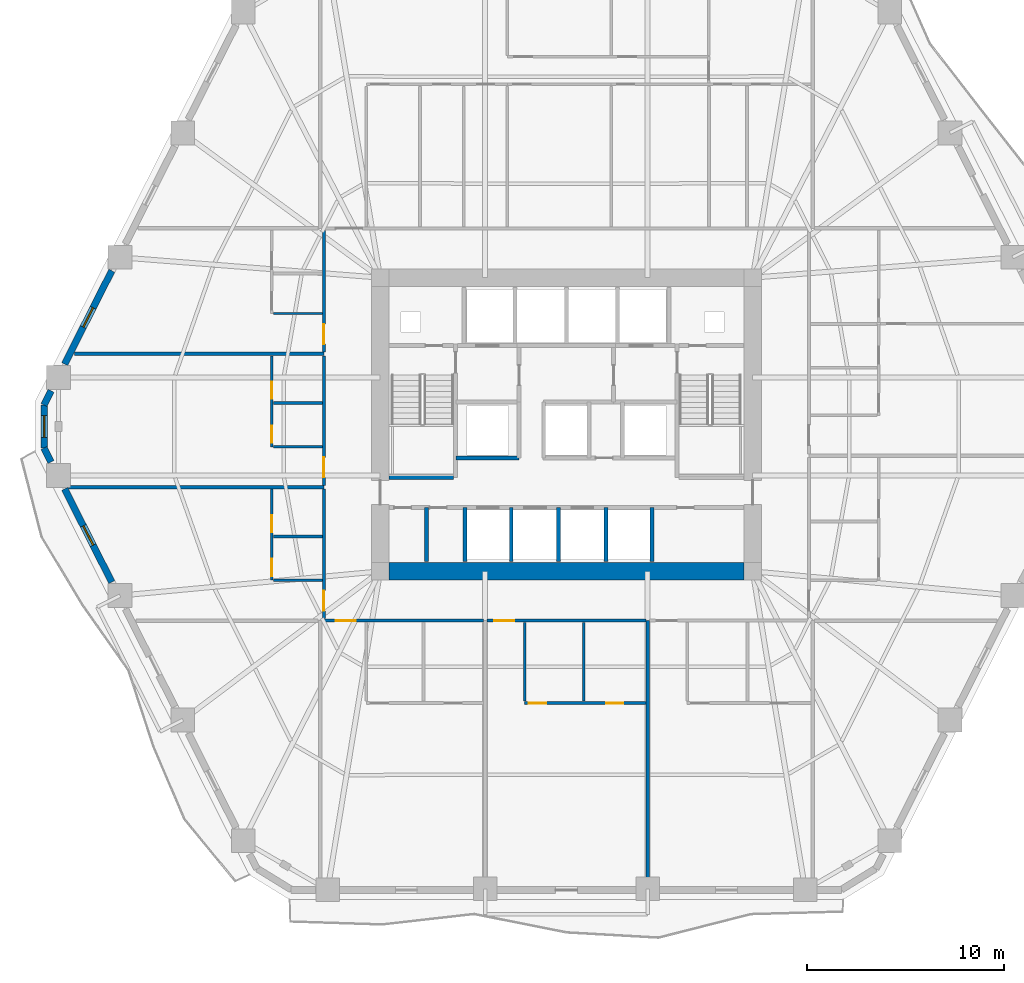
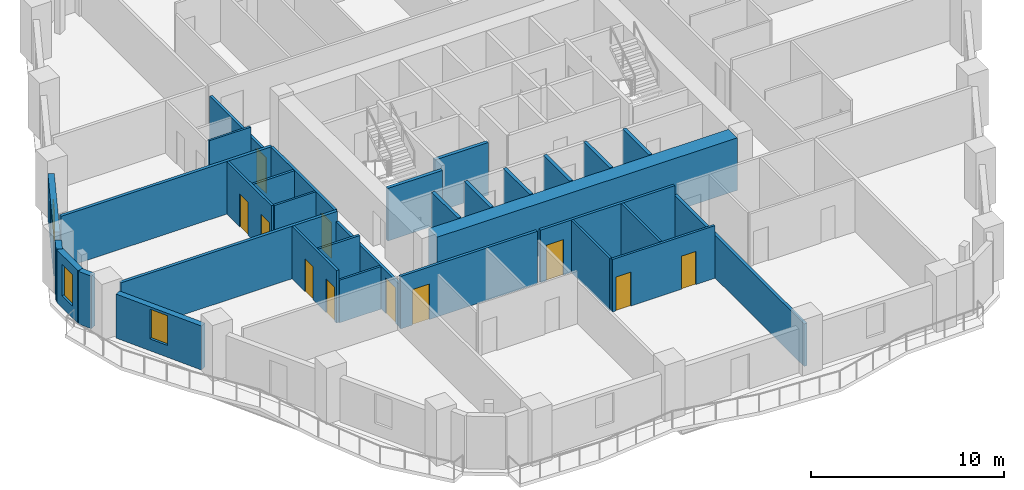
# One storey, part 4 of 11: 32 walls, 11 doors, 3 windows, 14 openings.
"""IFC4 building model written with IfcOpenShell, lengths in metres."""

from ifc_helpers import new_model, si_unit, direction, frame, frame_2d, origin, place, context, subcontext, project, spatial, rectangle, extrude, material, layer, layer_set, type_object, element, fill, save


model = new_model("IFC4")

# Units and contexts
model_context = context("Model", 3, precision=1e-05, world=origin(), true_north=direction((0.0, 1.0)))
body_context = subcontext(model_context, "Body", "Model", "MODEL_VIEW")
ifc_project = project(units=[si_unit("LENGTHUNIT", "METRE"), si_unit("AREAUNIT", "SQUARE_METRE"), si_unit("VOLUMEUNIT", "CUBIC_METRE"), si_unit("PLANEANGLEUNIT", "RADIAN"), si_unit("MASSUNIT", "GRAM", prefix="KILO")], contexts=[model_context])

# Site, building, storey
site_placement = place(None, origin())
site = spatial("IfcSite", under=ifc_project, at=site_placement, CompositionType="ELEMENT")
building_placement = place(site_placement, origin())
building = spatial("IfcBuilding", under=site, at=building_placement, Name="Cinnabar Lancet Tower", CompositionType="ELEMENT")
storey_placement = place(building_placement, frame((0.0, 0.0, 42.64990234375)))
storey = spatial("IfcBuildingStorey", under=building, at=storey_placement, Name="L10", CompositionType="ELEMENT", Elevation=42.64990234375)

# Wall, opening, door
ifc_material_1 = material(Name="Acoustic twin-stud gypsum partition", Category="gypsum")
ifc_layer_1 = layer(ifc_material_1, 0.159912109375)
ifc_layer_set_1 = layer_set([ifc_layer_1], Name="Acoustic twin-stud gypsum partition")
wall_type_1 = type_object("IfcWallType", Name="ARC-WL-CORR-160", PredefinedType="PARTITIONING", material=ifc_layer_set_1)
wall_1_placement = place(storey_placement, frame((19.9951171875, 15.949951171875, 0.0), z_axis=(0.0, 0.0, 1.0), x_axis=(1.0, 0.0, 0.0)))
wall_1 = element("IfcWall", 1, at=wall_1_placement, inside=storey, type_object=wall_type_1, Name="L10 Unit S01 Corridor Wall", PredefinedType="PARTITIONING", context=body_context, shape_type="SweptSolid", body=[
    extrude(rectangle(XDim=8.18798828125, YDim=0.159912109375, at=frame_2d((4.093994140625, 0.0))), origin(), (0.0, 0.0, 1.0), 3.330078125),
])
opening_1_placement = place(wall_1_placement, frame((0.705078125, 0.0, 0.0)))
opening_1 = element("IfcOpeningElement", 2, at=opening_1_placement, cuts=wall_1, Name="Opening UD-01", PredefinedType="OPENING", context=body_context, shape_type="SweptSolid", body=[
    extrude(rectangle(XDim=1.02001953125, YDim=2.25, at=frame_2d((0.510009765625, 1.125))), frame((0.0, 0.08984375, 0.0), z_axis=(0.0, -1.0, 0.0), x_axis=(1.0, 0.0, 0.0)), (0.0, 0.0, 1.0), 0.179931640625),
])
ifc_material_2 = material(Name="Solid timber fire-rated apartment entrance door", Category="wood")
door_type_1 = type_object("IfcDoorType", Name="ARC-DR-UNIT", OperationType="NOTDEFINED", PredefinedType="DOOR", material=ifc_material_2)
door_1_placement = place(opening_1_placement, origin())
door_1 = element("IfcDoor", 3, at=door_1_placement, inside=storey, type_object=door_type_1, Name="DR-L10-S01-ENT", OperationType="SINGLE_SWING_LEFT", OverallHeight=2.25, OverallWidth=1.02001953125, PredefinedType="DOOR", context=body_context, shape_type="SweptSolid", body=[
    extrude(rectangle(XDim=1.02001953125, YDim=2.25, at=frame_2d((0.510009765625, 1.125))), frame((0.0, 0.02490234375, 0.0), z_axis=(0.0, -1.0, 0.0), x_axis=(1.0, 0.0, 0.0)), (0.0, 0.0, 1.0), 0.050048828125),
])
fill(opening_1, door_1)

wall_2_placement = place(storey_placement, frame((28.373046875, 15.949951171875, 0.0), z_axis=(0.0, 0.0, 1.0), x_axis=(1.0, 0.0, 0.0)))
wall_2 = element("IfcWall", 4, at=wall_2_placement, inside=storey, type_object=wall_type_1, Name="L10 Unit S02 Corridor Wall", PredefinedType="PARTITIONING", context=body_context, shape_type="SweptSolid", body=[
    extrude(rectangle(XDim=8.053955078125, YDim=0.159912109375, at=frame_2d((4.02685546875, 0.0))), origin(), (0.0, 0.0, 1.0), 3.330078125),
])
opening_2_placement = place(wall_2_placement, frame((0.35498046875, 0.0, 0.0)))
opening_2 = element("IfcOpeningElement", 5, at=opening_2_placement, cuts=wall_2, Name="Opening UD-01", PredefinedType="OPENING", context=body_context, shape_type="SweptSolid", body=[
    extrude(rectangle(XDim=1.02001953125, YDim=2.25, at=frame_2d((0.510009765625, 1.125))), frame((0.0, 0.08984375, 0.0), z_axis=(0.0, -1.0, 0.0), x_axis=(1.0, 0.0, 0.0)), (0.0, 0.0, 1.0), 0.179931640625),
])
door_2_placement = place(opening_2_placement, origin())
door_2 = element("IfcDoor", 6, at=door_2_placement, inside=storey, type_object=door_type_1, Name="DR-L10-S02-ENT", OperationType="SINGLE_SWING_RIGHT", OverallHeight=2.25, OverallWidth=1.02001953125, PredefinedType="DOOR", context=body_context, shape_type="SweptSolid", body=[
    extrude(rectangle(XDim=1.02001953125, YDim=2.25, at=frame_2d((0.510009765625, 1.125))), frame((0.0, 0.02490234375, 0.0), z_axis=(0.0, -1.0, 0.0), x_axis=(1.0, 0.0, 0.0)), (0.0, 0.0, 1.0), 0.050048828125),
])
fill(opening_2, door_2)

wall_3_placement = place(storey_placement, frame((20.10009765625, 16.044921875, 0.0), z_axis=(0.0, 0.0, 1.0), x_axis=(0.0, 1.0, 0.0)))
wall_3 = element("IfcWall", 7, at=wall_3_placement, inside=storey, type_object=wall_type_1, Name="UW-L10-W01-COR", PredefinedType="PARTITIONING", context=body_context, shape_type="SweptSolid", body=[
    extrude(rectangle(XDim=6.576171875, YDim=0.159912109375, at=frame_2d((3.2880859375, 0.0))), origin(), (0.0, 0.0, 1.0), 2.7001953125),
])
opening_3_placement = place(wall_3_placement, frame((0.39990234375, 0.0, 0.0)))
opening_3 = element("IfcOpeningElement", 8, at=opening_3_placement, cuts=wall_3, Name="Opening UD-01", PredefinedType="OPENING", context=body_context, shape_type="SweptSolid", body=[
    extrude(rectangle(XDim=1.02001953125, YDim=2.25, at=frame_2d((0.510009765625, 1.125))), frame((0.0, 0.08984375, 0.0), z_axis=(0.0, -1.0, 0.0), x_axis=(1.0, 0.0, 0.0)), (0.0, 0.0, 1.0), 0.179931640625),
])
door_3_placement = place(opening_3_placement, origin())
door_3 = element("IfcDoor", 9, at=door_3_placement, inside=storey, type_object=door_type_1, Name="DR-L10-W01-ENT", OperationType="SINGLE_SWING_LEFT", OverallHeight=2.25, OverallWidth=1.02001953125, PredefinedType="DOOR", context=body_context, shape_type="SweptSolid", body=[
    extrude(rectangle(XDim=1.02001953125, YDim=2.25, at=frame_2d((0.510009765625, 1.125))), frame((0.0, 0.02490234375, 0.0), z_axis=(0.0, -1.0, 0.0), x_axis=(1.0, 0.0, 0.0)), (0.0, 0.0, 1.0), 0.050048828125),
])
fill(opening_3, door_3)

wall_4_placement = place(storey_placement, frame((20.10009765625, 22.81103515625, 0.0), z_axis=(0.0, 0.0, 1.0), x_axis=(0.0, 1.0, 0.0)))
wall_4 = element("IfcWall", 10, at=wall_4_placement, inside=storey, type_object=wall_type_1, Name="UW-L10-W02-COR", PredefinedType="PARTITIONING", context=body_context, shape_type="SweptSolid", body=[
    extrude(rectangle(XDim=6.575927734375, YDim=0.159912109375, at=frame_2d((3.2880859375, 0.0))), origin(), (0.0, 0.0, 1.0), 3.330078125),
])
opening_4_placement = place(wall_4_placement, frame((0.39990234375, 0.0, 0.0)))
opening_4 = element("IfcOpeningElement", 11, at=opening_4_placement, cuts=wall_4, Name="Opening UD-01", PredefinedType="OPENING", context=body_context, shape_type="SweptSolid", body=[
    extrude(rectangle(XDim=1.02001953125, YDim=2.25, at=frame_2d((0.510009765625, 1.125))), frame((0.0, 0.08984375, 0.0), z_axis=(0.0, -1.0, 0.0), x_axis=(1.0, 0.0, 0.0)), (0.0, 0.0, 1.0), 0.179931640625),
])
door_4_placement = place(opening_4_placement, origin())
door_4 = element("IfcDoor", 12, at=door_4_placement, inside=storey, type_object=door_type_1, Name="DR-L10-W02-ENT", OperationType="SINGLE_SWING_RIGHT", OverallHeight=2.25, OverallWidth=1.02001953125, PredefinedType="DOOR", context=body_context, shape_type="SweptSolid", body=[
    extrude(rectangle(XDim=1.02001953125, YDim=2.25, at=frame_2d((0.510009765625, 1.125))), frame((0.0, 0.02490234375, 0.0), z_axis=(0.0, -1.0, 0.0), x_axis=(1.0, 0.0, 0.0)), (0.0, 0.0, 1.0), 0.050048828125),
])
fill(opening_4, door_4)

wall_5_placement = place(storey_placement, frame((20.10009765625, 29.576904296875, 0.0), z_axis=(0.0, 0.0, 1.0), x_axis=(0.0, 1.0, 0.0)))
wall_5 = element("IfcWall", 13, at=wall_5_placement, inside=storey, type_object=wall_type_1, Name="UW-L10-W03-COR", PredefinedType="PARTITIONING", context=body_context, shape_type="SweptSolid", body=[
    extrude(rectangle(XDim=6.177978515625, YDim=0.159912109375, at=frame_2d((3.0888671875, 0.0))), origin(), (0.0, 0.0, 1.0), 2.7001953125),
])
opening_5_placement = place(wall_5_placement, frame((0.39990234375, 0.0, 0.0)))
opening_5 = element("IfcOpeningElement", 14, at=opening_5_placement, cuts=wall_5, Name="Opening UD-01", PredefinedType="OPENING", context=body_context, shape_type="SweptSolid", body=[
    extrude(rectangle(XDim=1.02001953125, YDim=2.25, at=frame_2d((0.510009765625, 1.125))), frame((0.0, 0.08984375, 0.0), z_axis=(0.0, -1.0, 0.0), x_axis=(1.0, 0.0, 0.0)), (0.0, 0.0, 1.0), 0.179931640625),
])
door_5_placement = place(opening_5_placement, origin())
door_5 = element("IfcDoor", 15, at=door_5_placement, inside=storey, type_object=door_type_1, Name="DR-L10-W03-ENT", OperationType="SINGLE_SWING_LEFT", OverallHeight=2.25, OverallWidth=1.02001953125, PredefinedType="DOOR", context=body_context, shape_type="SweptSolid", body=[
    extrude(rectangle(XDim=1.02001953125, YDim=2.25, at=frame_2d((0.510009765625, 1.125))), frame((0.0, 0.02490234375, 0.0), z_axis=(0.0, -1.0, 0.0), x_axis=(1.0, 0.0, 0.0)), (0.0, 0.0, 1.0), 0.050048828125),
])
fill(opening_5, door_5)

# Walls
ifc_material_3 = material(Name="Fire-rated twin-frame acoustic drywall", Category="gypsum")
ifc_layer_2 = layer(ifc_material_3, 0.179931640625)
ifc_layer_set_2 = layer_set([ifc_layer_2], Name="Fire-rated twin-frame acoustic drywall")
wall_type_2 = type_object("IfcWallType", Name="ARC-WL-PARTY-180", PredefinedType="PARTITIONING", material=ifc_layer_set_2)
wall_6_placement = place(storey_placement, frame((36.52197265625, 2.455078125, 0.0), z_axis=(0.0, 0.0, 1.0), x_axis=(0.0, 1.0, 0.0)))
element("IfcWall", 16, at=wall_6_placement, inside=storey, type_object=wall_type_2, Name="PW-L10-SPTY-365", PredefinedType="PARTITIONING", context=body_context, shape_type="SweptSolid", body=[
    extrude(rectangle(XDim=13.494873046875, YDim=0.179931640625, at=frame_2d((6.74755859375, 0.0))), origin(), (0.0, 0.0, 1.0), 2.7001953125),
])
wall_7_placement = place(storey_placement, frame((7.139892578125, 22.716064453125, 0.0), z_axis=(0.0, 0.0, 1.0), x_axis=(1.0, 0.0, 0.0)))
element("IfcWall", 17, at=wall_7_placement, inside=storey, type_object=wall_type_2, Name="PW-L10-WPTY-1", PredefinedType="PARTITIONING", context=body_context, shape_type="SweptSolid", body=[
    extrude(rectangle(XDim=12.960205078125, YDim=0.179931640625, at=frame_2d((6.47998046875, 0.0))), origin(), (0.0, 0.0, 1.0), 3.330078125),
])
wall_8_placement = place(storey_placement, frame((7.443115234375, 29.48193359375, 0.0), z_axis=(0.0, 0.0, 1.0), x_axis=(1.0, 0.0, 0.0)))
element("IfcWall", 18, at=wall_8_placement, inside=storey, type_object=wall_type_2, Name="PW-L10-WPTY-2", PredefinedType="PARTITIONING", context=body_context, shape_type="SweptSolid", body=[
    extrude(rectangle(XDim=12.656982421875, YDim=0.179931640625, at=frame_2d((6.32861328125, 0.0))), origin(), (0.0, 0.0, 1.0), 3.330078125),
])
ifc_material_4 = material(Name="Autoclaved aerated concrete blockwork", Category="masonry")
ifc_layer_3 = layer(ifc_material_4, 0.199951171875)
ifc_layer_set_3 = layer_set([ifc_layer_3], Name="Autoclaved aerated concrete blockwork")
wall_type_3 = type_object("IfcWallType", Name="ARC-WL-SHAFT-200", PredefinedType="PLUMBINGWALL", material=ifc_layer_set_3)
wall_9_placement = place(storey_placement, frame((23.405029296875, 23.199951171875, 0.0), z_axis=(0.0, 0.0, 1.0), x_axis=(1.0, 0.0, 0.0)))
element("IfcWall", 19, at=wall_9_placement, inside=storey, type_object=wall_type_3, Name="CW-ST1S-L10", PredefinedType="PLUMBINGWALL", context=body_context, shape_type="SweptSolid", body=[
    extrude(rectangle(XDim=3.27001953125, YDim=0.199951171875, at=frame_2d((1.635009765625, 0.0))), origin(), (0.0, 0.0, 1.0), 3.330078125),
])
wall_10_placement = place(storey_placement, frame((26.800048828125, 24.199951171875, 0.0), z_axis=(0.0, 0.0, 1.0), x_axis=(1.0, 0.0, 0.0)))
element("IfcWall", 20, at=wall_10_placement, inside=storey, type_object=wall_type_3, Name="CW-PL5S-L10", PredefinedType="PLUMBINGWALL", context=body_context, shape_type="SweptSolid", body=[
    extrude(rectangle(XDim=3.199951171875, YDim=0.199951171875, at=frame_2d((1.60009765625, 0.0))), origin(), (0.0, 0.0, 1.0), 3.330078125),
])
for number, where, z_axis, x_axis, name in (
    (21, (27.25, 18.949951171875, 0.0), (0.0, 0.0, 1.0), (0.0, 1.0, 0.0), "CW-SB-2725-L10"),
    (22, (29.60009765625, 18.949951171875, 0.0), (0.0, 0.0, 1.0), (0.0, 1.0, 0.0), "CW-SB-2960-L10"),
    (23, (32.0, 18.949951171875, 0.0), (0.0, 0.0, 1.0), (0.0, 1.0, 0.0), "CW-SB-3200-L10"),
    (24, (34.39990234375, 18.949951171875, 0.0), (0.0, 0.0, 1.0), (0.0, 1.0, 0.0), "CW-SB-3440-L10"),
    (25, (36.75, 18.949951171875, 0.0), (0.0, 0.0, 1.0), (0.0, 1.0, 0.0), "CW-SB-3675-L10"),
    (26, (25.300048828125, 18.949951171875, 0.0), (0.0, 0.0, 1.0), (0.0, 1.0, 0.0), "CW-SB-SW-L10"),
):
    element("IfcWall", number, at=place(storey_placement, frame(where, z_axis=z_axis, x_axis=x_axis)), inside=storey, type_object=wall_type_3, Name=name, PredefinedType="PLUMBINGWALL", context=body_context, shape_type="SweptSolid", body=[
        extrude(rectangle(XDim=2.72998046875, YDim=0.199951171875, at=frame_2d((1.364990234375, 0.0))), origin(), (0.0, 0.0, 1.0), 3.330078125),
    ])
ifc_material_5 = material(Name="Gypsum plasterboard stud partition", Category="gypsum")
ifc_layer_4 = layer(ifc_material_5, 0.125)
ifc_layer_set_4 = layer_set([ifc_layer_4], Name="Gypsum plasterboard stud partition")
wall_type_4 = type_object("IfcWallType", Name="ARC-WL-UNIT-125", PredefinedType="PARTITIONING", material=ifc_layer_set_4)
wall_11_placement = place(storey_placement, frame((30.278076171875, 11.8720703125, 0.0), z_axis=(0.0, 0.0, 1.0), x_axis=(0.0, 1.0, 0.0)))
element("IfcWall", 27, at=wall_11_placement, inside=storey, type_object=wall_type_4, Name="UW-L10-S02-FOYE", PredefinedType="PARTITIONING", context=body_context, shape_type="SweptSolid", body=[
    extrude(rectangle(XDim=3.992919921875, YDim=0.125, at=frame_2d((1.99658203125, 0.0))), origin(), (0.0, 0.0, 1.0), 3.330078125),
])
wall_12_placement = place(storey_placement, frame((17.534912109375, 18.0, 0.0), z_axis=(0.0, 0.0, 1.0), x_axis=(1.0, 0.0, 0.0)))
element("IfcWall", 28, at=wall_12_placement, inside=storey, type_object=wall_type_4, Name="UW-L10-W01-FOYN", PredefinedType="PARTITIONING", context=body_context, shape_type="SweptSolid", body=[
    extrude(rectangle(XDim=2.47998046875, YDim=0.125, at=frame_2d((1.239990234375, 0.0))), origin(), (0.0, 0.0, 1.0), 2.7001953125),
])
for number, where, z_axis, x_axis, name in (
    (29, (17.534912109375, 24.76611328125, 0.0), (0.0, 0.0, 1.0), (1.0, 0.0, 0.0), "UW-L10-W02-FOYN"),
    (30, (17.534912109375, 31.531982421875, 0.0), (0.0, 0.0, 1.0), (1.0, 0.0, 0.0), "UW-L10-W03-FOYN"),
):
    element("IfcWall", number, at=place(storey_placement, frame(where, z_axis=z_axis, x_axis=x_axis)), inside=storey, type_object=wall_type_4, Name=name, PredefinedType="PARTITIONING", context=body_context, shape_type="SweptSolid", body=[
        extrude(rectangle(XDim=2.47998046875, YDim=0.125, at=frame_2d((1.239990234375, 0.0))), origin(), (0.0, 0.0, 1.0), 3.330078125),
    ])

# Wall, openings, doors
ifc_material_6 = material(Name="Moisture-resistant cement-board plumbing wall", Category="masonry")
ifc_layer_5 = layer(ifc_material_6, 0.139892578125)
ifc_layer_set_5 = layer_set([ifc_layer_5], Name="Moisture-resistant cement-board plumbing wall")
wall_type_5 = type_object("IfcWallType", Name="ARC-WL-WET-140", PredefinedType="PLUMBINGWALL", material=ifc_layer_set_5)
wall_13_placement = place(storey_placement, frame((30.278076171875, 11.76708984375, 0.0), z_axis=(0.0, 0.0, 1.0), x_axis=(1.0, 0.0, 0.0)))
wall_13 = element("IfcWall", 31, at=wall_13_placement, inside=storey, type_object=wall_type_5, Name="UW-L10-S02-SPL", PredefinedType="PLUMBINGWALL", context=body_context, shape_type="SweptSolid", body=[
    extrude(rectangle(XDim=6.14892578125, YDim=0.139892578125, at=frame_2d((3.074462890625, 0.0))), origin(), (0.0, 0.0, 1.0), 3.330078125),
])
opening_6_placement = place(wall_13_placement, frame((4.14794921875, 0.0, 0.0)))
opening_6 = element("IfcOpeningElement", 32, at=opening_6_placement, cuts=wall_13, Name="Opening BD-01", PredefinedType="OPENING", context=body_context, shape_type="SweptSolid", body=[
    extrude(rectangle(XDim=0.860107421875, YDim=2.10009765625, at=frame_2d((0.43017578125, 1.050048828125))), frame((0.0, 0.079833984375, 0.0), z_axis=(0.0, -1.0, 0.0), x_axis=(1.0, 0.0, 0.0)), (0.0, 0.0, 1.0), 0.159912109375),
])
opening_7_placement = place(wall_13_placement, frame((0.219970703125, 0.0, 0.0)))
opening_7 = element("IfcOpeningElement", 33, at=opening_7_placement, cuts=wall_13, Name="Opening RD-02", PredefinedType="OPENING", context=body_context, shape_type="SweptSolid", body=[
    extrude(rectangle(XDim=0.8798828125, YDim=2.14990234375, at=frame_2d((0.43994140625, 1.074951171875))), frame((0.0, 0.079833984375, 0.0), z_axis=(0.0, -1.0, 0.0), x_axis=(1.0, 0.0, 0.0)), (0.0, 0.0, 1.0), 0.159912109375),
])
ifc_material_7 = material(Name="Moisture-resistant timber bathroom door", Category="wood")
door_type_2 = type_object("IfcDoorType", Name="ARC-DR-BATH", OperationType="NOTDEFINED", PredefinedType="DOOR", material=ifc_material_7)
door_6_placement = place(opening_6_placement, origin())
door_6 = element("IfcDoor", 34, at=door_6_placement, inside=storey, type_object=door_type_2, Name="DR-L10-S02-BTH", OperationType="SINGLE_SWING_RIGHT", OverallHeight=2.10009765625, OverallWidth=0.860107421875, PredefinedType="DOOR", context=body_context, shape_type="SweptSolid", body=[
    extrude(rectangle(XDim=0.860107421875, YDim=2.10009765625, at=frame_2d((0.43017578125, 1.050048828125))), frame((0.0, 0.02490234375, 0.0), z_axis=(0.0, -1.0, 0.0), x_axis=(1.0, 0.0, 0.0)), (0.0, 0.0, 1.0), 0.050048828125),
])
fill(opening_6, door_6)
ifc_material_8 = material(Name="Engineered timber study door", Category="wood")
door_type_3 = type_object("IfcDoorType", Name="ARC-DR-STUDY", OperationType="NOTDEFINED", PredefinedType="DOOR", material=ifc_material_8)
door_7_placement = place(opening_7_placement, origin())
door_7 = element("IfcDoor", 35, at=door_7_placement, inside=storey, type_object=door_type_3, Name="DR-L10-S02-KIT", OperationType="SINGLE_SWING_LEFT", OverallHeight=2.14990234375, OverallWidth=0.8798828125, PredefinedType="DOOR", context=body_context, shape_type="SweptSolid", body=[
    extrude(rectangle(XDim=0.8798828125, YDim=2.14990234375, at=frame_2d((0.43994140625, 1.074951171875))), frame((0.0, 0.02490234375, 0.0), z_axis=(0.0, -1.0, 0.0), x_axis=(1.0, 0.0, 0.0)), (0.0, 0.0, 1.0), 0.050048828125),
])
fill(opening_7, door_7)

# Wall
wall_14_placement = place(storey_placement, frame((33.27490234375, 11.8720703125, 0.0), z_axis=(0.0, 0.0, 1.0), x_axis=(0.0, 1.0, 0.0)))
element("IfcWall", 36, at=wall_14_placement, inside=storey, type_object=wall_type_5, Name="UW-L10-S02-KDV", PredefinedType="PLUMBINGWALL", context=body_context, shape_type="SweptSolid", body=[
    extrude(rectangle(XDim=3.992919921875, YDim=0.139892578125, at=frame_2d((1.99658203125, 0.0))), origin(), (0.0, 0.0, 1.0), 3.330078125),
])

# Wall, openings, doors
wall_15_placement = place(storey_placement, frame((17.449951171875, 18.0, 0.0), z_axis=(0.0, 0.0, 1.0), x_axis=(0.0, 1.0, 0.0)))
wall_15 = element("IfcWall", 37, at=wall_15_placement, inside=storey, type_object=wall_type_5, Name="UW-L10-W01-SPL", PredefinedType="PLUMBINGWALL", context=body_context, shape_type="SweptSolid", body=[
    extrude(rectangle(XDim=4.62109375, YDim=0.139892578125, at=frame_2d((2.310546875, 0.0))), origin(), (0.0, 0.0, 1.0), 3.330078125),
])
opening_8_placement = place(wall_15_placement, frame((2.43798828125, 0.0, 0.0)))
opening_8 = element("IfcOpeningElement", 38, at=opening_8_placement, cuts=wall_15, Name="Opening BD-01", PredefinedType="OPENING", context=body_context, shape_type="SweptSolid", body=[
    extrude(rectangle(XDim=0.860107421875, YDim=2.10009765625, at=frame_2d((0.43017578125, 1.050048828125))), frame((0.0, 0.079833984375, 0.0), z_axis=(0.0, -1.0, 0.0), x_axis=(1.0, 0.0, 0.0)), (0.0, 0.0, 1.0), 0.159912109375),
])
opening_9_placement = place(wall_15_placement, frame((0.199951171875, 0.0, 0.0)))
opening_9 = element("IfcOpeningElement", 39, at=opening_9_placement, cuts=wall_15, Name="Opening RD-02", PredefinedType="OPENING", context=body_context, shape_type="SweptSolid", body=[
    extrude(rectangle(XDim=0.8798828125, YDim=2.14990234375, at=frame_2d((0.43994140625, 1.074951171875))), frame((0.0, 0.079833984375, 0.0), z_axis=(0.0, -1.0, 0.0), x_axis=(1.0, 0.0, 0.0)), (0.0, 0.0, 1.0), 0.159912109375),
])
door_8_placement = place(opening_8_placement, origin())
door_8 = element("IfcDoor", 40, at=door_8_placement, inside=storey, type_object=door_type_2, Name="DR-L10-W01-BTH", OperationType="SINGLE_SWING_LEFT", OverallHeight=2.10009765625, OverallWidth=0.860107421875, PredefinedType="DOOR", context=body_context, shape_type="SweptSolid", body=[
    extrude(rectangle(XDim=0.860107421875, YDim=2.10009765625, at=frame_2d((0.43017578125, 1.050048828125))), frame((0.0, 0.02490234375, 0.0), z_axis=(0.0, -1.0, 0.0), x_axis=(1.0, 0.0, 0.0)), (0.0, 0.0, 1.0), 0.050048828125),
])
fill(opening_8, door_8)
door_9_placement = place(opening_9_placement, origin())
door_9 = element("IfcDoor", 41, at=door_9_placement, inside=storey, type_object=door_type_3, Name="DR-L10-W01-KIT", OperationType="SINGLE_SWING_RIGHT", OverallHeight=2.14990234375, OverallWidth=0.8798828125, PredefinedType="DOOR", context=body_context, shape_type="SweptSolid", body=[
    extrude(rectangle(XDim=0.8798828125, YDim=2.14990234375, at=frame_2d((0.43994140625, 1.074951171875))), frame((0.0, 0.02490234375, 0.0), z_axis=(0.0, -1.0, 0.0), x_axis=(1.0, 0.0, 0.0)), (0.0, 0.0, 1.0), 0.050048828125),
])
fill(opening_9, door_9)

# Wall
wall_16_placement = place(storey_placement, frame((17.534912109375, 20.218017578125, 0.0), z_axis=(0.0, 0.0, 1.0), x_axis=(1.0, 0.0, 0.0)))
element("IfcWall", 42, at=wall_16_placement, inside=storey, type_object=wall_type_5, Name="UW-L10-W01-KDV", PredefinedType="PLUMBINGWALL", context=body_context, shape_type="SweptSolid", body=[
    extrude(rectangle(XDim=2.47998046875, YDim=0.139892578125, at=frame_2d((1.239990234375, 0.0))), origin(), (0.0, 0.0, 1.0), 3.330078125),
])

# Wall, openings, doors
wall_17_placement = place(storey_placement, frame((17.449951171875, 24.76611328125, 0.0), z_axis=(0.0, 0.0, 1.0), x_axis=(0.0, 1.0, 0.0)))
wall_17 = element("IfcWall", 43, at=wall_17_placement, inside=storey, type_object=wall_type_5, Name="UW-L10-W02-SPL", PredefinedType="PLUMBINGWALL", context=body_context, shape_type="SweptSolid", body=[
    extrude(rectangle(XDim=4.620849609375, YDim=0.139892578125, at=frame_2d((2.310546875, 0.0))), origin(), (0.0, 0.0, 1.0), 3.330078125),
])
opening_10_placement = place(wall_17_placement, frame((2.43798828125, 0.0, 0.0)))
opening_10 = element("IfcOpeningElement", 44, at=opening_10_placement, cuts=wall_17, Name="Opening BD-01", PredefinedType="OPENING", context=body_context, shape_type="SweptSolid", body=[
    extrude(rectangle(XDim=0.860107421875, YDim=2.10009765625, at=frame_2d((0.43017578125, 1.050048828125))), frame((0.0, 0.079833984375, 0.0), z_axis=(0.0, -1.0, 0.0), x_axis=(1.0, 0.0, 0.0)), (0.0, 0.0, 1.0), 0.159912109375),
])
opening_11_placement = place(wall_17_placement, frame((0.199951171875, 0.0, 0.0)))
opening_11 = element("IfcOpeningElement", 45, at=opening_11_placement, cuts=wall_17, Name="Opening RD-02", PredefinedType="OPENING", context=body_context, shape_type="SweptSolid", body=[
    extrude(rectangle(XDim=0.8798828125, YDim=2.14990234375, at=frame_2d((0.43994140625, 1.074951171875))), frame((0.0, 0.079833984375, 0.0), z_axis=(0.0, -1.0, 0.0), x_axis=(1.0, 0.0, 0.0)), (0.0, 0.0, 1.0), 0.159912109375),
])
door_10_placement = place(opening_10_placement, origin())
door_10 = element("IfcDoor", 46, at=door_10_placement, inside=storey, type_object=door_type_2, Name="DR-L10-W02-BTH", OperationType="SINGLE_SWING_RIGHT", OverallHeight=2.10009765625, OverallWidth=0.860107421875, PredefinedType="DOOR", context=body_context, shape_type="SweptSolid", body=[
    extrude(rectangle(XDim=0.860107421875, YDim=2.10009765625, at=frame_2d((0.43017578125, 1.050048828125))), frame((0.0, 0.02490234375, 0.0), z_axis=(0.0, -1.0, 0.0), x_axis=(1.0, 0.0, 0.0)), (0.0, 0.0, 1.0), 0.050048828125),
])
fill(opening_10, door_10)
door_11_placement = place(opening_11_placement, origin())
door_11 = element("IfcDoor", 47, at=door_11_placement, inside=storey, type_object=door_type_3, Name="DR-L10-W02-KIT", OperationType="SINGLE_SWING_LEFT", OverallHeight=2.14990234375, OverallWidth=0.8798828125, PredefinedType="DOOR", context=body_context, shape_type="SweptSolid", body=[
    extrude(rectangle(XDim=0.8798828125, YDim=2.14990234375, at=frame_2d((0.43994140625, 1.074951171875))), frame((0.0, 0.02490234375, 0.0), z_axis=(0.0, -1.0, 0.0), x_axis=(1.0, 0.0, 0.0)), (0.0, 0.0, 1.0), 0.050048828125),
])
fill(opening_11, door_11)

# Wall
wall_18_placement = place(storey_placement, frame((17.534912109375, 26.98388671875, 0.0), z_axis=(0.0, 0.0, 1.0), x_axis=(1.0, 0.0, 0.0)))
element("IfcWall", 48, at=wall_18_placement, inside=storey, type_object=wall_type_5, Name="UW-L10-W02-KDV", PredefinedType="PLUMBINGWALL", context=body_context, shape_type="SweptSolid", body=[
    extrude(rectangle(XDim=2.47998046875, YDim=0.139892578125, at=frame_2d((1.239990234375, 0.0))), origin(), (0.0, 0.0, 1.0), 3.330078125),
])

# Wall, opening, window
ifc_material_9 = material(Name="Cinnabar red clay brick", Category="masonry")
ifc_layer_6 = layer(ifc_material_9, 0.340087890625)
ifc_layer_set_6 = layer_set([ifc_layer_6], Name="Cinnabar red clay brick")
wall_type_6 = type_object("IfcWallType", Name="ENV-WL-BRK-RED-340", PredefinedType="STANDARD", material=ifc_layer_set_6)
wall_19_placement = place(storey_placement, frame((5.912109375, 26.885986328125, 0.0), z_axis=(0.0, 0.0, 1.0), x_axis=(0.0, -1.0, 0.0)))
wall_19 = element("IfcWall", 49, at=wall_19_placement, inside=storey, type_object=wall_type_6, Name="L10 Chamfered Corner Brick Pier 6.1", PredefinedType="STANDARD", context=body_context, shape_type="SweptSolid", body=[
    extrude(rectangle(XDim=2.171875, YDim=0.340087890625, at=frame_2d((1.0859375, 0.0))), origin(), (0.0, 0.0, 1.0), 3.330078125),
])
opening_12_placement = place(wall_19_placement, frame((0.535888671875, 0.0, 0.75)))
opening_12 = element("IfcOpeningElement", 50, at=opening_12_placement, cuts=wall_19, Name="Opening WN-04", PredefinedType="OPENING", context=body_context, shape_type="SweptSolid", body=[
    extrude(rectangle(XDim=1.10009765625, YDim=2.0, at=frame_2d((0.550048828125, 1.0))), frame((0.0, 0.179931640625, 0.0), z_axis=(0.0, -1.0, 0.0), x_axis=(1.0, 0.0, 0.0)), (0.0, 0.0, 1.0), 0.360107421875),
])
ifc_material_10 = material(Name="Thermally broken bronze-anodized aluminium tall lancet window", Category="aluminium")
window_type = type_object("IfcWindowType", Name="ENV-WN-LANCET-1100", PartitioningType="SINGLE_PANEL", PredefinedType="WINDOW", material=ifc_material_10)
window_1_placement = place(opening_12_placement, origin())
window_1 = element("IfcWindow", 51, at=window_1_placement, inside=storey, type_object=window_type, Name="L10 Dwelling Gothic Lancet Window 303", OverallHeight=2.0, OverallWidth=1.10009765625, PartitioningType="SINGLE_PANEL", PredefinedType="WINDOW", context=body_context, shape_type="SweptSolid", body=[
    extrude(rectangle(XDim=1.10009765625, YDim=2.0, at=frame_2d((0.550048828125, 1.0))), frame((0.0, 0.030029296875, 0.0), z_axis=(0.0, -1.0, 0.0), x_axis=(1.0, 0.0, 0.0)), (0.0, 0.0, 1.0), 0.06005859375),
])
fill(opening_12, window_1)

wall_20_placement = place(storey_placement, frame((9.3349609375, 33.698974609375, 0.0), z_axis=(0.0, 0.0, 1.0), x_axis=(-0.451590635984, -0.892225250422, 0.0)))
wall_20 = element("IfcWall", 52, at=wall_20_placement, inside=storey, type_object=wall_type_6, Name="L10 Face 5 Masonry Bay Wall 4", PredefinedType="STANDARD", context=body_context, shape_type="SweptSolid", body=[
    extrude(rectangle(XDim=5.303466796875, YDim=0.340087890625, at=frame_2d((2.65185546875, 0.0))), origin(), (0.0, 0.0, 1.0), 2.787109375),
])
opening_13_placement = place(wall_20_placement, frame((2.10205078125, 0.0, 0.75)))
opening_13 = element("IfcOpeningElement", 53, at=opening_13_placement, cuts=wall_20, Name="Opening WN-04", PredefinedType="OPENING", context=body_context, shape_type="SweptSolid", body=[
    extrude(rectangle(XDim=1.10009765625, YDim=1.886962890625, at=frame_2d((0.550048828125, 0.943359375))), frame((0.0, 0.179931640625, 0.0), z_axis=(0.0, -1.0, 0.0), x_axis=(1.0, 0.0, 0.0)), (0.0, 0.0, 1.0), 0.360107421875),
])
window_2_placement = place(opening_13_placement, origin())
window_2 = element("IfcWindow", 54, at=window_2_placement, inside=storey, type_object=window_type, Name="L10 Face 5 Gothic Lancet Window 4", OverallHeight=1.886962890625, OverallWidth=1.10009765625, PartitioningType="SINGLE_PANEL", PredefinedType="WINDOW", context=body_context, shape_type="SweptSolid", body=[
    extrude(rectangle(XDim=1.10009765625, YDim=1.886962890625, at=frame_2d((0.550048828125, 0.943359375))), frame((0.0, 0.030029296875, 0.0), z_axis=(0.0, -1.0, 0.0), x_axis=(1.0, 0.0, 0.0)), (0.0, 0.0, 1.0), 0.06005859375),
])
fill(opening_13, window_2)

# Walls
for number, where, z_axis, x_axis, name in (
    (55, (6.251953125, 27.60498046875, 0.0), (0.0, 0.0, 1.0), (-0.452101093511, -0.891966704113, 0.0), "L10 Face 5 Masonry Bay Wall 5"),
    (56, (5.89111328125, 24.70703125, 0.0), (0.0, 0.0, 1.0), (0.452101093511, -0.891966704113, 0.0), "L10 Face 6 Masonry Bay Wall 1"),
):
    element("IfcWall", number, at=place(storey_placement, frame(where, z_axis=z_axis, x_axis=x_axis)), inside=storey, type_object=wall_type_6, Name=name, PredefinedType="STANDARD", context=body_context, shape_type="SweptSolid", body=[
        extrude(rectangle(XDim=0.798095703125, YDim=0.340087890625, at=frame_2d((0.39892578125, 0.0))), origin(), (0.0, 0.0, 1.0), 3.330078125),
    ])

# Wall, opening, window
wall_21_placement = place(storey_placement, frame((6.93994140625, 22.633056640625, 0.0), z_axis=(0.0, 0.0, 1.0), x_axis=(0.451572088722, -0.892234637686, 0.0)))
wall_21 = element("IfcWall", 57, at=wall_21_placement, inside=storey, type_object=wall_type_6, Name="L10 Face 6 Masonry Bay Wall 2", PredefinedType="STANDARD", context=body_context, shape_type="SweptSolid", body=[
    extrude(rectangle(XDim=5.3037109375, YDim=0.340087890625, at=frame_2d((2.65185546875, 0.0))), origin(), (0.0, 0.0, 1.0), 2.787109375),
])
opening_14_placement = place(wall_21_placement, frame((2.10205078125, 0.0, 0.75)))
opening_14 = element("IfcOpeningElement", 58, at=opening_14_placement, cuts=wall_21, Name="Opening WN-04", PredefinedType="OPENING", context=body_context, shape_type="SweptSolid", body=[
    extrude(rectangle(XDim=1.10009765625, YDim=1.886962890625, at=frame_2d((0.550048828125, 0.943359375))), frame((0.0, 0.179931640625, 0.0), z_axis=(0.0, -1.0, 0.0), x_axis=(1.0, 0.0, 0.0)), (0.0, 0.0, 1.0), 0.360107421875),
])
window_3_placement = place(opening_14_placement, origin())
window_3 = element("IfcWindow", 59, at=window_3_placement, inside=storey, type_object=window_type, Name="L10 Face 6 Gothic Lancet Window 2", OverallHeight=1.886962890625, OverallWidth=1.10009765625, PartitioningType="SINGLE_PANEL", PredefinedType="WINDOW", context=body_context, shape_type="SweptSolid", body=[
    extrude(rectangle(XDim=1.10009765625, YDim=1.886962890625, at=frame_2d((0.550048828125, 0.943359375))), frame((0.0, 0.030029296875, 0.0), z_axis=(0.0, -1.0, 0.0), x_axis=(1.0, 0.0, 0.0)), (0.0, 0.0, 1.0), 0.06005859375),
])
fill(opening_14, window_3)

# Wall
ifc_material_11 = material(Name="Concrete C80/95", Category="concrete")
ifc_layer_7 = layer(ifc_material_11, 0.89990234375)
ifc_layer_set_7 = layer_set([ifc_layer_7], Name="Concrete C80/95")
wall_type_7 = type_object("IfcWallType", Name="STR-WL-CORE-900", PredefinedType="SHEAR", material=ifc_layer_set_7)
wall_22_placement = place(storey_placement, frame((23.39990234375, 18.449951171875, 0.0), z_axis=(0.0, 0.0, 1.0), x_axis=(1.0, 0.0, 0.0)))
element("IfcWall", 60, at=wall_22_placement, inside=storey, type_object=wall_type_7, Name="L10 Core Shear Wall S", PredefinedType="SHEAR", context=body_context, shape_type="SweptSolid", body=[
    extrude(rectangle(XDim=18.0, YDim=0.89990234375, at=frame_2d((9.0, 0.0))), origin(), (0.0, 0.0, 1.0), 3.330078125),
])

save(model, "model.ifc")
